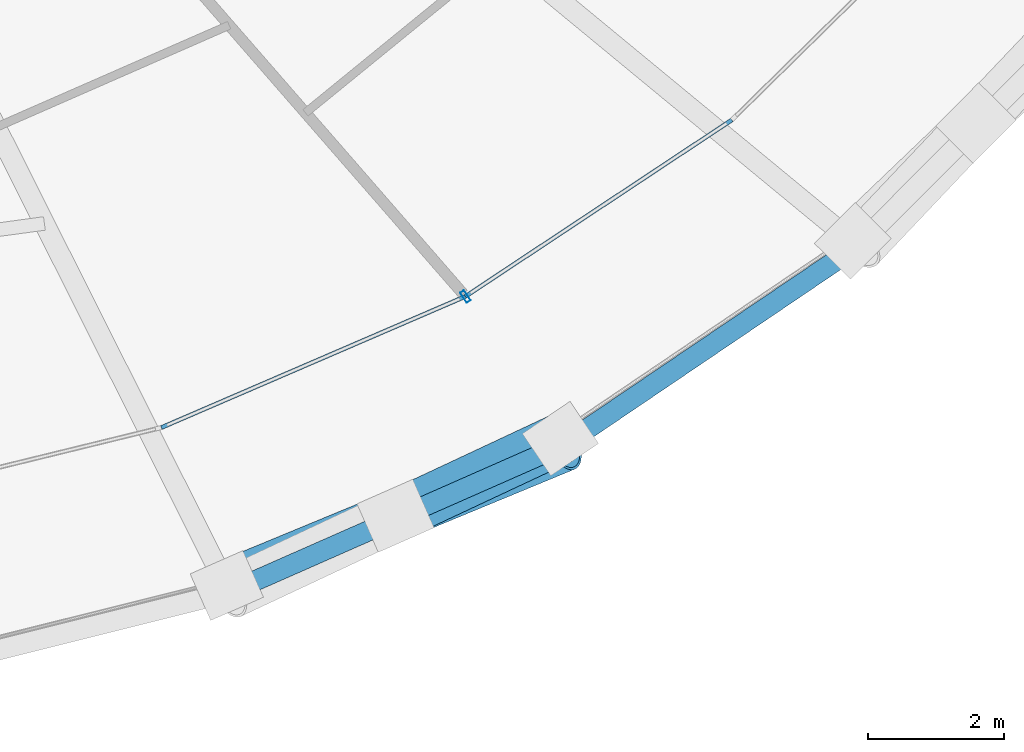
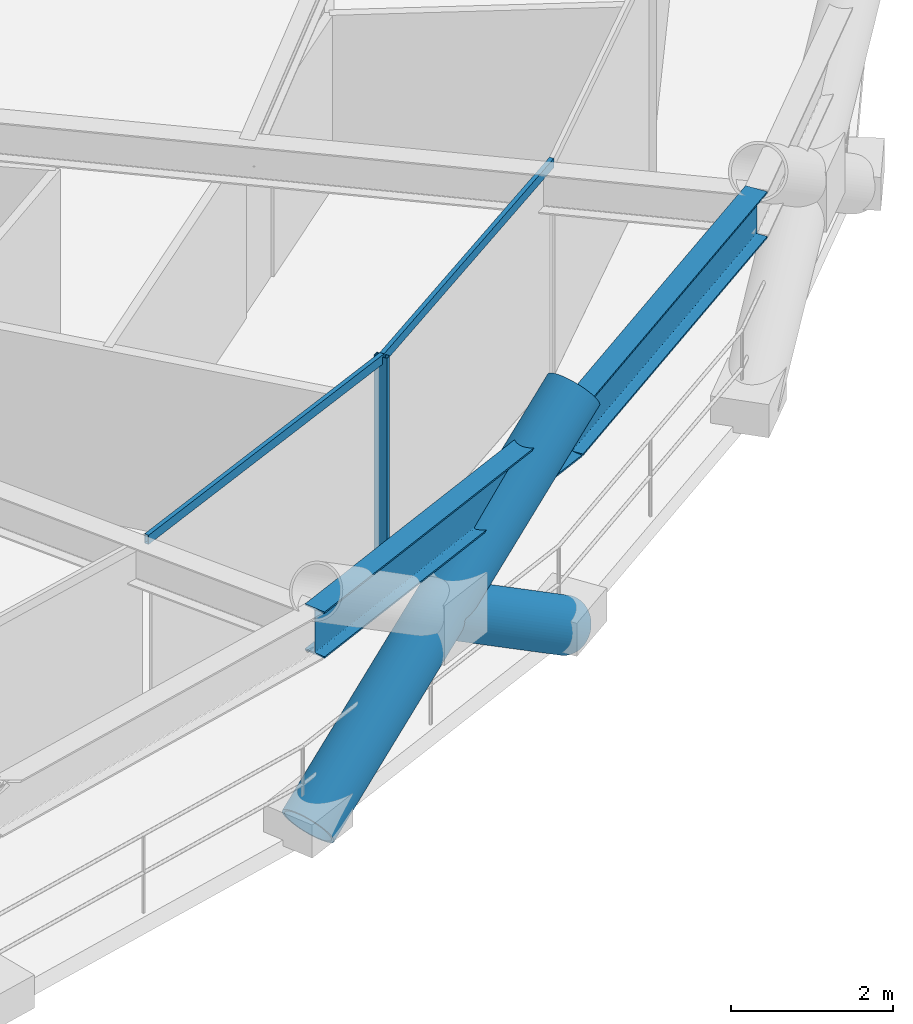
# One storey, part 8 of 19: 5 members, 2 beams, 1 element without a shape of its own.
"""IFC4 building model written with IfcOpenShell, lengths in metres."""

from ifc_helpers import new_model, si_unit, direction, frame, origin, origin_2d, place, context, subcontext, project, spatial, hollow_rectangle, hollow_circle, i_section, extrude, material, layer, layer_set, material_profile, profile_set, type_object, element, aggregate, save


model = new_model("IFC4")

# Units and contexts
model_context = context("Model", 3, precision=1e-05, world=origin(), true_north=direction((0.0, 1.0)))
body_context = subcontext(model_context, "Body", "Model", "MODEL_VIEW")
ifc_project = project(units=[si_unit("LENGTHUNIT", "METRE"), si_unit("AREAUNIT", "SQUARE_METRE"), si_unit("VOLUMEUNIT", "CUBIC_METRE"), si_unit("PLANEANGLEUNIT", "RADIAN"), si_unit("MASSUNIT", "GRAM", prefix="KILO")], contexts=[model_context])

# Site, building, storey
site_placement = place(None, origin())
site = spatial("IfcSite", under=ifc_project, at=site_placement, CompositionType="ELEMENT")
building_placement = place(site_placement, origin())
building = spatial("IfcBuilding", under=site, at=building_placement, Name="Veldorina Hangang Commons", CompositionType="ELEMENT")
storey_placement = place(building_placement, frame((0.0, 0.0, 52.0)))
storey = spatial("IfcBuildingStorey", under=building, at=storey_placement, Name="L12", CompositionType="ELEMENT", Elevation=52.0)

# Beams
ifc_material_1 = material(Name="Steel SM460-TMC", Category="steel")
ifc_material_profile_1 = material_profile(ifc_material_1, i_section(OverallWidth=0.300048828125, OverallDepth=0.699951171875, WebThickness=0.012939453125, FlangeThickness=0.02392578125, FilletRadius=0.02197265625, at=origin_2d()), Name="H-700x300x13x24")
ifc_profile_set_1 = profile_set([ifc_material_profile_1], Name="Steel SM460-TMC")
beam_type = type_object("IfcBeamType", Name="BM-RB700", PredefinedType="BEAM", material=ifc_profile_set_1)
beam_1_placement = place(storey_placement, frame((42.921630859375, 2.25244140625, 2.989990234375), z_axis=(0.915021043403, 0.403406110674, 0.0), x_axis=(-0.403406110674, 0.915021043403, 0.0)))
element("IfcBeam", 1, at=beam_1_placement, inside=storey, type_object=beam_type, Name="L12 perimeter hoop ring beam 26", PredefinedType="BEAM", context=body_context, shape_type="SweptSolid", body=[
    extrude(i_section(OverallWidth=0.300048828125, OverallDepth=0.699951171875, WebThickness=0.012939453125, FlangeThickness=0.02392578125, FilletRadius=0.02197265625, at=origin_2d()), origin(), (0.0, 0.0, 1.0), 5.392333984375),
])
beam_2_placement = place(storey_placement, frame((47.855712890625, 4.427734375, 2.989990234375), z_axis=(0.828131507258, 0.560533858644, 0.0), x_axis=(-0.560533858644, 0.828131507258, 0.0)))
element("IfcBeam", 2, at=beam_2_placement, inside=storey, type_object=beam_type, Name="L12 perimeter hoop ring beam 27", PredefinedType="BEAM", context=body_context, shape_type="SweptSolid", body=[
    extrude(i_section(OverallWidth=0.300048828125, OverallDepth=0.699951171875, WebThickness=0.012939453125, FlangeThickness=0.02392578125, FilletRadius=0.02197265625, at=origin_2d()), origin(), (0.0, 0.0, 1.0), 5.22216796875),
])

# Curtain wall, members
ifc_material_2 = material(Name="Glass Low-E Triple IGU", Category="glass")
ifc_layer = layer(ifc_material_2, 0.179931640625)
ifc_layer_set = layer_set([ifc_layer], Name="Glass Low-E Triple IGU")
curtain_wall_type = type_object("IfcCurtainWallType", Name="CW-SYS-Z1", PredefinedType="NOTDEFINED", material=ifc_layer_set)
curtain_wall_placement = place(storey_placement, origin())
curtain_wall = element("IfcCurtainWall", 3, at=curtain_wall_placement, inside=storey, type_object=curtain_wall_type, Name="L12 unitised curtain wall CW-L12-R2", PredefinedType="NOTDEFINED")
ifc_material_3 = material(Name="Aluminium Anodized AA6063-T6", Category="aluminium")
ifc_material_profile_2 = material_profile(ifc_material_3, hollow_rectangle(XDim=0.070068359375, YDim=0.179931640625, WallThickness=0.00390625, at=origin_2d()), Name="ALU-RHS-180x70x4")
ifc_profile_set_2 = profile_set([ifc_material_profile_2], Name="Aluminium Anodized AA6063-T6")
member_type_1 = type_object("IfcMemberType", Name="CW-MUL-180", PredefinedType="MULLION", material=ifc_profile_set_2)
member_1_placement = place(storey_placement, frame((46.397705078125, 6.609619140625, 0.0), z_axis=(0.0, 0.0, 1.0), x_axis=(0.833712384802, 0.552198931028, 0.0)))
member_1 = element("IfcMember", 4, at=member_1_placement, type_object=member_type_1, Name="CW-L12-R2 vertical mullion 2", PredefinedType="MULLION", context=body_context, shape_type="SweptSolid", body=[
    extrude(hollow_rectangle(XDim=0.070068359375, YDim=0.179931640625, WallThickness=0.00390625, at=origin_2d()), origin(), (0.0, 0.0, 1.0), 3.300048828125),
])
ifc_material_profile_3 = material_profile(ifc_material_3, hollow_rectangle(XDim=0.06005859375, YDim=0.139892578125, WallThickness=0.00341796875, at=origin_2d()), Name="ALU-RHS-140x60x3.5")
ifc_profile_set_3 = profile_set([ifc_material_profile_3], Name="Aluminium Anodized AA6063-T6")
member_type_2 = type_object("IfcMemberType", Name="CW-TRN-140", PredefinedType="USERDEFINED", material=ifc_profile_set_3)
member_2_placement = place(storey_placement, frame((41.917236328125, 4.677001953125, 3.260009765625), z_axis=(0.918221203131, 0.396067951394, 0.0), x_axis=(-0.396067951394, 0.918221203131, 0.0)))
member_2 = element("IfcMember", 5, at=member_2_placement, type_object=member_type_2, Name="CW-L12-R2 facet 2 transom 1", ObjectType="TRANSOM", PredefinedType="USERDEFINED", context=body_context, shape_type="SweptSolid", body=[
    extrude(hollow_rectangle(XDim=0.06005859375, YDim=0.139892578125, WallThickness=0.00341796875, at=origin_2d()), origin(), (0.0, 0.0, 1.0), 4.87939453125),
])
member_3_placement = place(storey_placement, frame((46.397705078125, 6.609619140625, 3.260009765625), z_axis=(0.83370517386, 0.552209817986, 0.0), x_axis=(-0.552209817986, 0.83370517386, 0.0)))
member_3 = element("IfcMember", 6, at=member_3_placement, type_object=member_type_2, Name="CW-L12-R2 facet 3 transom 1", ObjectType="TRANSOM", PredefinedType="USERDEFINED", context=body_context, shape_type="SweptSolid", body=[
    extrude(hollow_rectangle(XDim=0.06005859375, YDim=0.139892578125, WallThickness=0.00341796875, at=origin_2d()), origin(), (0.0, 0.0, 1.0), 4.710205078125),
])
aggregate(curtain_wall, [member_1, member_2, member_3])

# Members
ifc_material_profile_4 = material_profile(ifc_material_1, hollow_circle(Radius=0.375, WallThickness=0.035888671875, at=origin_2d()), Name="CHS-750x36")
ifc_profile_set_4 = profile_set([ifc_material_profile_4], Name="Steel SM460-TMC")
member_type_3 = type_object("IfcMemberType", Name="DG-CHS750", PredefinedType="BRACE", material=ifc_profile_set_4)
member_4_placement = place(storey_placement, frame((42.881591796875, 2.3486328125, 0.0), z_axis=(0.76870815949, 0.317804475104, 0.555056826944), x_axis=(-0.38206266654, 0.924136417871, 0.0)))
element("IfcMember", 7, at=member_4_placement, inside=storey, type_object=member_type_3, Name="L12 continuous perimeter diagrid brace 26", PredefinedType="BRACE", context=body_context, shape_type="SweptSolid", body=[
    extrude(hollow_circle(Radius=0.375, WallThickness=0.035888671875, at=origin_2d()), origin(), (0.0, 0.0, 1.0), 6.486083984375),
])
member_5_placement = place(storey_placement, frame((47.7978515625, 4.514404296875, 0.0), z_axis=(-0.752504655758, -0.352389103546, 0.556379962584), x_axis=(0.424091021789, -0.905619569818, 0.0)))
element("IfcMember", 8, at=member_5_placement, inside=storey, type_object=member_type_3, Name="L12 split perimeter diagrid lower brace 27", PredefinedType="BRACE", context=body_context, shape_type="SweptSolid", body=[
    extrude(hollow_circle(Radius=0.375, WallThickness=0.035888671875, at=origin_2d()), origin(), (0.0, 0.0, 1.0), 3.227783203125),
])

save(model, "model.ifc")
